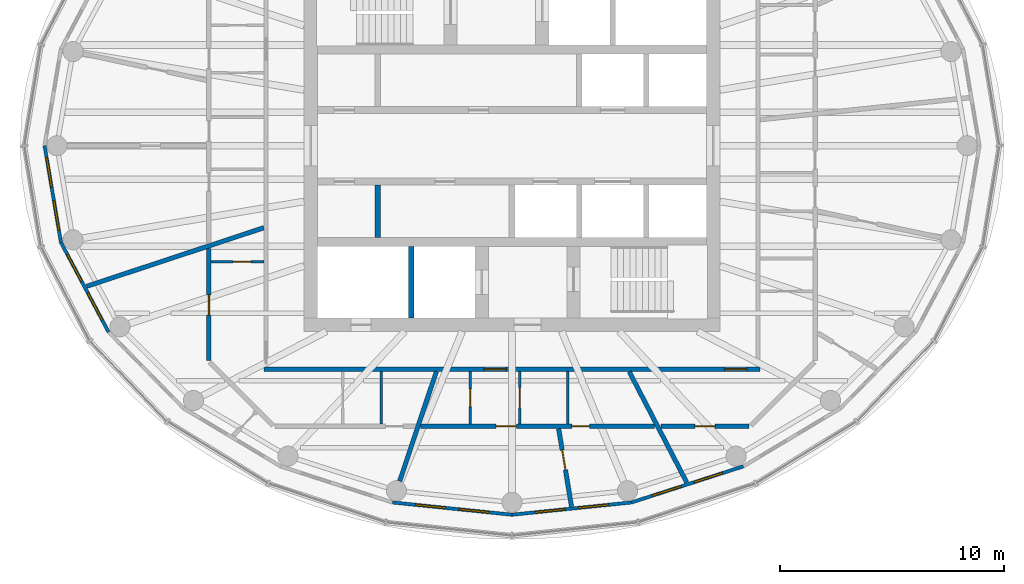
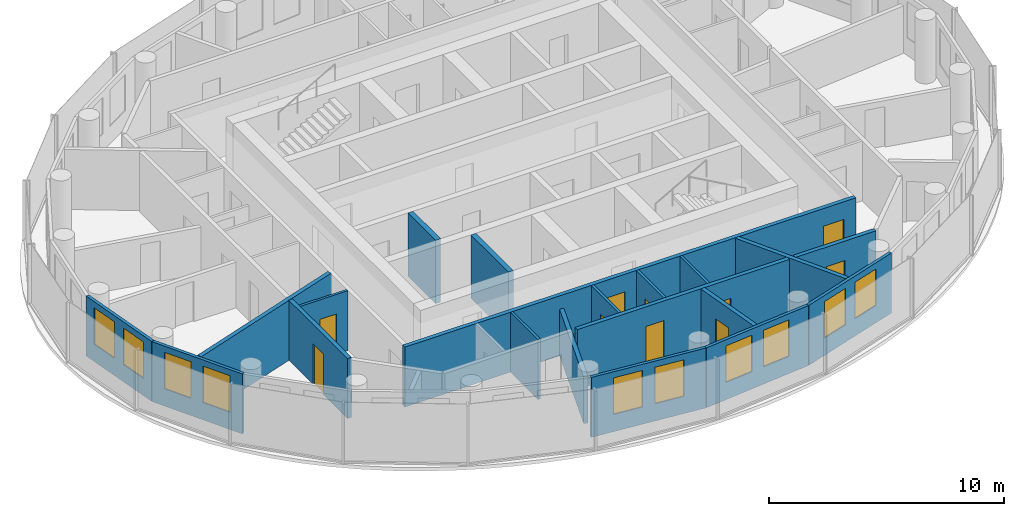
# One storey, part 5 of 11: 20 walls, 10 doors, 10 windows, 20 openings.
"""IFC4 building model written with IfcOpenShell, lengths in metres."""

from ifc_helpers import new_model, si_unit, direction, frame, frame_2d, origin, place, context, subcontext, project, spatial, rectangle, extrude, material, layer, layer_set, type_object, element, fill, save


model = new_model("IFC4")

# Units and contexts
model_context = context("Model", 3, precision=1e-05, world=origin(), true_north=direction((0.0, 1.0)))
body_context = subcontext(model_context, "Body", "Model", "MODEL_VIEW")
ifc_project = project(units=[si_unit("LENGTHUNIT", "METRE"), si_unit("AREAUNIT", "SQUARE_METRE"), si_unit("VOLUMEUNIT", "CUBIC_METRE"), si_unit("PLANEANGLEUNIT", "RADIAN"), si_unit("MASSUNIT", "GRAM", prefix="KILO")], contexts=[model_context])

# Site, building, storey
site_placement = place(None, origin())
site = spatial("IfcSite", under=ifc_project, at=site_placement, CompositionType="ELEMENT")
building_placement = place(site_placement, origin())
building = spatial("IfcBuilding", under=site, at=building_placement, Name="Hankou Lantern Tower", CompositionType="ELEMENT")
storey_placement = place(building_placement, frame((0.0, 0.0, 212.699951171875)))
storey = spatial("IfcBuildingStorey", under=building, at=storey_placement, Name="L57", CompositionType="ELEMENT", Elevation=212.699951171875)

# Wall, openings, windows
ifc_material_1 = material(Name="Aluminium spandrel panel on steel studs", Category="steel")
ifc_layer_1 = layer(ifc_material_1, 0.14990234375)
ifc_layer_set_1 = layer_set([ifc_layer_1], Name="Aluminium spandrel panel on steel studs")
wall_type_1 = type_object("IfcWallType", Name="EW1 INNER SKIN WALL 150", PredefinedType="ELEMENTEDWALL", material=ifc_layer_set_1)
wall_1_placement = place(storey_placement, frame((-20.89990234375, 0.0, 0.0), z_axis=(0.0, 0.0, 1.0), x_axis=(0.166538513568, -0.986034950445, 0.0)))
wall_1 = element("IfcWall", 1, at=wall_1_placement, inside=storey, type_object=wall_type_1, Name="Inner skin R13-R14 L57", PredefinedType="ELEMENTEDWALL", context=body_context, shape_type="SweptSolid", body=[
    extrude(rectangle(XDim=4.384765625, YDim=0.14990234375, at=frame_2d((2.1923828125, 0.0))), origin(), (0.0, 0.0, 1.0), 3.1201171875),
])
opening_1_placement = place(wall_1_placement, frame((0.54248046875, 0.0, 0.89990234375)))
opening_1 = element("IfcOpeningElement", 2, at=opening_1_placement, cuts=wall_1, Name="Opening W4", PredefinedType="OPENING", context=body_context, shape_type="SweptSolid", body=[
    extrude(rectangle(XDim=1.35009765625, YDim=1.89990234375, at=frame_2d((0.675048828125, 0.949951171875))), frame((0.0, 0.0849609375, 0.0), z_axis=(0.0, -1.0, 0.0), x_axis=(1.0, 0.0, 0.0)), (0.0, 0.0, 1.0), 0.169921875),
])
opening_2_placement = place(wall_1_placement, frame((2.492431640625, 0.0, 0.89990234375)))
opening_2 = element("IfcOpeningElement", 3, at=opening_2_placement, cuts=wall_1, Name="Opening W4", PredefinedType="OPENING", context=body_context, shape_type="SweptSolid", body=[
    extrude(rectangle(XDim=1.35009765625, YDim=1.89990234375, at=frame_2d((0.675048828125, 0.949951171875))), frame((0.0, 0.0849609375, 0.0), z_axis=(0.0, -1.0, 0.0), x_axis=(1.0, 0.0, 0.0)), (0.0, 0.0, 1.0), 0.169921875),
])
ifc_material_2 = material(Name="Aluminium framed double glazed window", Category="aluminium")
window_type = type_object("IfcWindowType", Name="W4 SUITE WINDOW 1350X1900", PartitioningType="DOUBLE_PANEL_VERTICAL", PredefinedType="WINDOW", material=ifc_material_2)
window_1_placement = place(opening_1_placement, origin())
window_1 = element("IfcWindow", 4, at=window_1_placement, inside=storey, type_object=window_type, Name="Window R13.1 L57", OverallHeight=1.89990234375, OverallWidth=1.35009765625, PartitioningType="SINGLE_PANEL", PredefinedType="WINDOW", context=body_context, shape_type="SweptSolid", body=[
    extrude(rectangle(XDim=1.35009765625, YDim=1.89990234375, at=frame_2d((0.675048828125, 0.949951171875))), frame((0.0, 0.030029296875, 0.0), z_axis=(0.0, -1.0, 0.0), x_axis=(1.0, 0.0, 0.0)), (0.0, 0.0, 1.0), 0.06005859375),
])
fill(opening_1, window_1)
window_2_placement = place(opening_2_placement, origin())
window_2 = element("IfcWindow", 5, at=window_2_placement, inside=storey, type_object=window_type, Name="Window R13.2 L57", OverallHeight=1.89990234375, OverallWidth=1.35009765625, PartitioningType="SINGLE_PANEL", PredefinedType="WINDOW", context=body_context, shape_type="SweptSolid", body=[
    extrude(rectangle(XDim=1.35009765625, YDim=1.89990234375, at=frame_2d((0.675048828125, 0.949951171875))), frame((0.0, 0.030029296875, 0.0), z_axis=(0.0, -1.0, 0.0), x_axis=(1.0, 0.0, 0.0)), (0.0, 0.0, 1.0), 0.06005859375),
])
fill(opening_2, window_2)

wall_2_placement = place(storey_placement, frame((-20.169677734375, -4.323486328125, 0.0), z_axis=(0.0, 0.0, 1.0), x_axis=(0.469256152955, -0.883062094597, 0.0)))
wall_2 = element("IfcWall", 6, at=wall_2_placement, inside=storey, type_object=wall_type_1, Name="Inner skin R14-R15 L57", PredefinedType="ELEMENTEDWALL", context=body_context, shape_type="SweptSolid", body=[
    extrude(rectangle(XDim=4.539306640625, YDim=0.14990234375, at=frame_2d((2.26953125, 0.0))), origin(), (0.0, 0.0, 1.0), 3.1201171875),
])
opening_3_placement = place(wall_2_placement, frame((0.61962890625, 0.0, 0.89990234375)))
opening_3 = element("IfcOpeningElement", 7, at=opening_3_placement, cuts=wall_2, Name="Opening W4", PredefinedType="OPENING", context=body_context, shape_type="SweptSolid", body=[
    extrude(rectangle(XDim=1.35009765625, YDim=1.89990234375, at=frame_2d((0.675048828125, 0.949951171875))), frame((0.0, 0.0849609375, 0.0), z_axis=(0.0, -1.0, 0.0), x_axis=(1.0, 0.0, 0.0)), (0.0, 0.0, 1.0), 0.169921875),
])
opening_4_placement = place(wall_2_placement, frame((2.569580078125, 0.0, 0.89990234375)))
opening_4 = element("IfcOpeningElement", 8, at=opening_4_placement, cuts=wall_2, Name="Opening W4", PredefinedType="OPENING", context=body_context, shape_type="SweptSolid", body=[
    extrude(rectangle(XDim=1.35009765625, YDim=1.89990234375, at=frame_2d((0.675048828125, 0.949951171875))), frame((0.0, 0.0849609375, 0.0), z_axis=(0.0, -1.0, 0.0), x_axis=(1.0, 0.0, 0.0)), (0.0, 0.0, 1.0), 0.169921875),
])
window_3_placement = place(opening_3_placement, origin())
window_3 = element("IfcWindow", 9, at=window_3_placement, inside=storey, type_object=window_type, Name="Window R14.1 L57", OverallHeight=1.89990234375, OverallWidth=1.35009765625, PartitioningType="SINGLE_PANEL", PredefinedType="WINDOW", context=body_context, shape_type="SweptSolid", body=[
    extrude(rectangle(XDim=1.35009765625, YDim=1.89990234375, at=frame_2d((0.675048828125, 0.949951171875))), frame((0.0, 0.030029296875, 0.0), z_axis=(0.0, -1.0, 0.0), x_axis=(1.0, 0.0, 0.0)), (0.0, 0.0, 1.0), 0.06005859375),
])
fill(opening_3, window_3)
window_4_placement = place(opening_4_placement, origin())
window_4 = element("IfcWindow", 10, at=window_4_placement, inside=storey, type_object=window_type, Name="Window R14.2 L57", OverallHeight=1.89990234375, OverallWidth=1.35009765625, PartitioningType="SINGLE_PANEL", PredefinedType="WINDOW", context=body_context, shape_type="SweptSolid", body=[
    extrude(rectangle(XDim=1.35009765625, YDim=1.89990234375, at=frame_2d((0.675048828125, 0.949951171875))), frame((0.0, 0.030029296875, 0.0), z_axis=(0.0, -1.0, 0.0), x_axis=(1.0, 0.0, 0.0)), (0.0, 0.0, 1.0), 0.06005859375),
])
fill(opening_4, window_4)

wall_3_placement = place(storey_placement, frame((-5.3427734375, -15.95166015625, 0.0), z_axis=(0.0, 0.0, 1.0), x_axis=(0.994774574972, -0.102095763818, 0.0)))
wall_3 = element("IfcWall", 11, at=wall_3_placement, inside=storey, type_object=wall_type_1, Name="Inner skin R18-R19 L57", PredefinedType="ELEMENTEDWALL", context=body_context, shape_type="SweptSolid", body=[
    extrude(rectangle(XDim=5.370849609375, YDim=0.14990234375, at=frame_2d((2.685546875, 0.0))), origin(), (0.0, 0.0, 1.0), 3.1201171875),
])
opening_5_placement = place(wall_3_placement, frame((1.035400390625, 0.0, 0.89990234375)))
opening_5 = element("IfcOpeningElement", 12, at=opening_5_placement, cuts=wall_3, Name="Opening W4", PredefinedType="OPENING", context=body_context, shape_type="SweptSolid", body=[
    extrude(rectangle(XDim=1.35009765625, YDim=1.89990234375, at=frame_2d((0.675048828125, 0.949951171875))), frame((0.0, 0.0849609375, 0.0), z_axis=(0.0, -1.0, 0.0), x_axis=(1.0, 0.0, 0.0)), (0.0, 0.0, 1.0), 0.169921875),
])
opening_6_placement = place(wall_3_placement, frame((2.9853515625, 0.0, 0.89990234375)))
opening_6 = element("IfcOpeningElement", 13, at=opening_6_placement, cuts=wall_3, Name="Opening W4", PredefinedType="OPENING", context=body_context, shape_type="SweptSolid", body=[
    extrude(rectangle(XDim=1.35009765625, YDim=1.89990234375, at=frame_2d((0.675048828125, 0.949951171875))), frame((0.0, 0.0849609375, 0.0), z_axis=(0.0, -1.0, 0.0), x_axis=(1.0, 0.0, 0.0)), (0.0, 0.0, 1.0), 0.169921875),
])
window_5_placement = place(opening_5_placement, origin())
window_5 = element("IfcWindow", 14, at=window_5_placement, inside=storey, type_object=window_type, Name="Window R18.1 L57", OverallHeight=1.89990234375, OverallWidth=1.35009765625, PartitioningType="SINGLE_PANEL", PredefinedType="WINDOW", context=body_context, shape_type="SweptSolid", body=[
    extrude(rectangle(XDim=1.35009765625, YDim=1.89990234375, at=frame_2d((0.675048828125, 0.949951171875))), frame((0.0, 0.030029296875, 0.0), z_axis=(0.0, -1.0, 0.0), x_axis=(1.0, 0.0, 0.0)), (0.0, 0.0, 1.0), 0.06005859375),
])
fill(opening_5, window_5)
window_6_placement = place(opening_6_placement, origin())
window_6 = element("IfcWindow", 15, at=window_6_placement, inside=storey, type_object=window_type, Name="Window R18.2 L57", OverallHeight=1.89990234375, OverallWidth=1.35009765625, PartitioningType="SINGLE_PANEL", PredefinedType="WINDOW", context=body_context, shape_type="SweptSolid", body=[
    extrude(rectangle(XDim=1.35009765625, YDim=1.89990234375, at=frame_2d((0.675048828125, 0.949951171875))), frame((0.0, 0.030029296875, 0.0), z_axis=(0.0, -1.0, 0.0), x_axis=(1.0, 0.0, 0.0)), (0.0, 0.0, 1.0), 0.06005859375),
])
fill(opening_6, window_6)

wall_4_placement = place(storey_placement, frame((0.0, -16.5, 0.0), z_axis=(0.0, 0.0, 1.0), x_axis=(0.994774574972, 0.102095763818, 0.0)))
wall_4 = element("IfcWall", 16, at=wall_4_placement, inside=storey, type_object=wall_type_1, Name="Inner skin R19-R20 L57", PredefinedType="ELEMENTEDWALL", context=body_context, shape_type="SweptSolid", body=[
    extrude(rectangle(XDim=5.370849609375, YDim=0.14990234375, at=frame_2d((2.685546875, 0.0))), origin(), (0.0, 0.0, 1.0), 3.1201171875),
])
opening_7_placement = place(wall_4_placement, frame((1.035400390625, 0.0, 0.89990234375)))
opening_7 = element("IfcOpeningElement", 17, at=opening_7_placement, cuts=wall_4, Name="Opening W4", PredefinedType="OPENING", context=body_context, shape_type="SweptSolid", body=[
    extrude(rectangle(XDim=1.35009765625, YDim=1.89990234375, at=frame_2d((0.675048828125, 0.949951171875))), frame((0.0, 0.0849609375, 0.0), z_axis=(0.0, -1.0, 0.0), x_axis=(1.0, 0.0, 0.0)), (0.0, 0.0, 1.0), 0.169921875),
])
opening_8_placement = place(wall_4_placement, frame((2.9853515625, 0.0, 0.89990234375)))
opening_8 = element("IfcOpeningElement", 18, at=opening_8_placement, cuts=wall_4, Name="Opening W4", PredefinedType="OPENING", context=body_context, shape_type="SweptSolid", body=[
    extrude(rectangle(XDim=1.35009765625, YDim=1.89990234375, at=frame_2d((0.675048828125, 0.949951171875))), frame((0.0, 0.0849609375, 0.0), z_axis=(0.0, -1.0, 0.0), x_axis=(1.0, 0.0, 0.0)), (0.0, 0.0, 1.0), 0.169921875),
])
window_7_placement = place(opening_7_placement, origin())
window_7 = element("IfcWindow", 19, at=window_7_placement, inside=storey, type_object=window_type, Name="Window R19.1 L57", OverallHeight=1.89990234375, OverallWidth=1.35009765625, PartitioningType="SINGLE_PANEL", PredefinedType="WINDOW", context=body_context, shape_type="SweptSolid", body=[
    extrude(rectangle(XDim=1.35009765625, YDim=1.89990234375, at=frame_2d((0.675048828125, 0.949951171875))), frame((0.0, 0.030029296875, 0.0), z_axis=(0.0, -1.0, 0.0), x_axis=(1.0, 0.0, 0.0)), (0.0, 0.0, 1.0), 0.06005859375),
])
fill(opening_7, window_7)
window_8_placement = place(opening_8_placement, origin())
window_8 = element("IfcWindow", 20, at=window_8_placement, inside=storey, type_object=window_type, Name="Window R19.2 L57", OverallHeight=1.89990234375, OverallWidth=1.35009765625, PartitioningType="SINGLE_PANEL", PredefinedType="WINDOW", context=body_context, shape_type="SweptSolid", body=[
    extrude(rectangle(XDim=1.35009765625, YDim=1.89990234375, at=frame_2d((0.675048828125, 0.949951171875))), frame((0.0, 0.030029296875, 0.0), z_axis=(0.0, -1.0, 0.0), x_axis=(1.0, 0.0, 0.0)), (0.0, 0.0, 1.0), 0.06005859375),
])
fill(opening_8, window_8)

wall_5_placement = place(storey_placement, frame((5.3427734375, -15.95166015625, 0.0), z_axis=(0.0, 0.0, 1.0), x_axis=(0.951644702515, 0.307200846638, 0.0)))
wall_5 = element("IfcWall", 21, at=wall_5_placement, inside=storey, type_object=wall_type_1, Name="Inner skin R20-R21 L57", PredefinedType="ELEMENTEDWALL", context=body_context, shape_type="SweptSolid", body=[
    extrude(rectangle(XDim=5.2578125, YDim=0.14990234375, at=frame_2d((2.62890625, 0.0))), origin(), (0.0, 0.0, 1.0), 3.1201171875),
])
opening_9_placement = place(wall_5_placement, frame((0.97900390625, 0.0, 0.89990234375)))
opening_9 = element("IfcOpeningElement", 22, at=opening_9_placement, cuts=wall_5, Name="Opening W4", PredefinedType="OPENING", context=body_context, shape_type="SweptSolid", body=[
    extrude(rectangle(XDim=1.35009765625, YDim=1.89990234375, at=frame_2d((0.675048828125, 0.949951171875))), frame((0.0, 0.0849609375, 0.0), z_axis=(0.0, -1.0, 0.0), x_axis=(1.0, 0.0, 0.0)), (0.0, 0.0, 1.0), 0.169921875),
])
opening_10_placement = place(wall_5_placement, frame((2.928955078125, 0.0, 0.89990234375)))
opening_10 = element("IfcOpeningElement", 23, at=opening_10_placement, cuts=wall_5, Name="Opening W4", PredefinedType="OPENING", context=body_context, shape_type="SweptSolid", body=[
    extrude(rectangle(XDim=1.35009765625, YDim=1.89990234375, at=frame_2d((0.675048828125, 0.949951171875))), frame((0.0, 0.0849609375, 0.0), z_axis=(0.0, -1.0, 0.0), x_axis=(1.0, 0.0, 0.0)), (0.0, 0.0, 1.0), 0.169921875),
])
window_9_placement = place(opening_9_placement, origin())
window_9 = element("IfcWindow", 24, at=window_9_placement, inside=storey, type_object=window_type, Name="Window R20.1 L57", OverallHeight=1.89990234375, OverallWidth=1.35009765625, PartitioningType="SINGLE_PANEL", PredefinedType="WINDOW", context=body_context, shape_type="SweptSolid", body=[
    extrude(rectangle(XDim=1.35009765625, YDim=1.89990234375, at=frame_2d((0.675048828125, 0.949951171875))), frame((0.0, 0.030029296875, 0.0), z_axis=(0.0, -1.0, 0.0), x_axis=(1.0, 0.0, 0.0)), (0.0, 0.0, 1.0), 0.06005859375),
])
fill(opening_9, window_9)
window_10_placement = place(opening_10_placement, origin())
window_10 = element("IfcWindow", 25, at=window_10_placement, inside=storey, type_object=window_type, Name="Window R20.2 L57", OverallHeight=1.89990234375, OverallWidth=1.35009765625, PartitioningType="SINGLE_PANEL", PredefinedType="WINDOW", context=body_context, shape_type="SweptSolid", body=[
    extrude(rectangle(XDim=1.35009765625, YDim=1.89990234375, at=frame_2d((0.675048828125, 0.949951171875))), frame((0.0, 0.030029296875, 0.0), z_axis=(0.0, -1.0, 0.0), x_axis=(1.0, 0.0, 0.0)), (0.0, 0.0, 1.0), 0.06005859375),
])
fill(opening_10, window_10)

# Walls
ifc_material_3 = material(Name="Masonry lightweight concrete block", Category="masonry")
ifc_layer_2 = layer(ifc_material_3, 0.199951171875)
ifc_layer_set_2 = layer_set([ifc_layer_2], Name="Masonry lightweight concrete block")
wall_type_2 = type_object("IfcWallType", Name="IW1 GUEST ROOM PARTY WALL 200", PredefinedType="PARTITIONING", material=ifc_layer_set_2)
wall_6_placement = place(storey_placement, frame((-11.10009765625, -3.668701171875, 0.0), z_axis=(0.0, 0.0, 1.0), x_axis=(-0.949476668397, -0.313837627079, 0.0)))
element("IfcWall", 26, at=wall_6_placement, inside=storey, type_object=wall_type_2, Name="Party wall R14-R15", PredefinedType="PARTITIONING", context=body_context, shape_type="SweptSolid", body=[
    extrude(rectangle(XDim=8.338623046875, YDim=0.199951171875, at=frame_2d((4.16943359375, 0.0))), origin(), (0.0, 0.0, 1.0), 3.1201171875),
])
wall_7_placement = place(storey_placement, frame((-3.3828125, -10.10009765625, 0.0), z_axis=(0.0, 0.0, 1.0), x_axis=(-0.317602151035, -0.948224063003, 0.0)))
element("IfcWall", 27, at=wall_7_placement, inside=storey, type_object=wall_type_2, Name="Party wall R18", PredefinedType="PARTITIONING", context=body_context, shape_type="SweptSolid", body=[
    extrude(rectangle(XDim=5.16796875, YDim=0.199951171875, at=frame_2d((2.583984375, 0.0))), origin(), (0.0, 0.0, 1.0), 2.420166015625),
])
wall_8_placement = place(storey_placement, frame((5.2412109375, -10.10009765625, 0.0), z_axis=(0.0, 0.0, 1.0), x_axis=(0.460603196597, -0.887606160008, 0.0)))
element("IfcWall", 28, at=wall_8_placement, inside=storey, type_object=wall_type_2, Name="Party wall R20-R21", PredefinedType="PARTITIONING", context=body_context, shape_type="SweptSolid", body=[
    extrude(rectangle(XDim=5.580322265625, YDim=0.199951171875, at=frame_2d((2.7900390625, 0.0))), origin(), (0.0, 0.0, 1.0), 3.1201171875),
])

# Wall, openings, doors
ifc_material_4 = material(Name="Masonry lightweight concrete block", Category="masonry")
ifc_layer_3 = layer(ifc_material_4, 0.199951171875)
ifc_layer_set_3 = layer_set([ifc_layer_3], Name="Masonry lightweight concrete block")
wall_type_3 = type_object("IfcWallType", Name="IW2 CORRIDOR WALL 200", PredefinedType="PARTITIONING", material=ifc_layer_set_3)
wall_9_placement = place(storey_placement, frame((11.10009765625, -10.0, 0.0), z_axis=(0.0, 0.0, 1.0), x_axis=(-1.0, 0.0, 0.0)))
wall_9 = element("IfcWall", 29, at=wall_9_placement, inside=storey, type_object=wall_type_3, Name="Corridor wall south", PredefinedType="PARTITIONING", context=body_context, shape_type="SweptSolid", body=[
    extrude(rectangle(XDim=22.2001953125, YDim=0.199951171875, at=frame_2d((11.10009765625, 0.0))), origin(), (0.0, 0.0, 1.0), 3.1201171875),
])
opening_11_placement = place(wall_9_placement, frame((11.359619140625, 0.0, 0.0)))
opening_11 = element("IfcOpeningElement", 30, at=opening_11_placement, cuts=wall_9, Name="Opening D2", PredefinedType="OPENING", context=body_context, shape_type="SweptSolid", body=[
    extrude(rectangle(XDim=1.0, YDim=2.199951171875, at=frame_2d((0.5, 1.10009765625))), frame((0.0, 0.10986328125, 0.0), z_axis=(0.0, -1.0, 0.0), x_axis=(1.0, 0.0, 0.0)), (0.0, 0.0, 1.0), 0.219970703125),
])
opening_12_placement = place(wall_9_placement, frame((0.594970703125, 0.0, 0.0)))
opening_12 = element("IfcOpeningElement", 31, at=opening_12_placement, cuts=wall_9, Name="Opening D2", PredefinedType="OPENING", context=body_context, shape_type="SweptSolid", body=[
    extrude(rectangle(XDim=1.0, YDim=2.199951171875, at=frame_2d((0.5, 1.10009765625))), frame((0.0, 0.10986328125, 0.0), z_axis=(0.0, -1.0, 0.0), x_axis=(1.0, 0.0, 0.0)), (0.0, 0.0, 1.0), 0.219970703125),
])
ifc_material_5 = material(Name="Steel door leaf", Category="steel")
door_type_1 = type_object("IfcDoorType", Name="D2 SUITE DOOR 1000X2200", OperationType="SINGLE_SWING_LEFT", PredefinedType="DOOR", material=ifc_material_5)
door_1_placement = place(opening_11_placement, origin())
door_1 = element("IfcDoor", 32, at=door_1_placement, inside=storey, type_object=door_type_1, Name="Suite door 5705", OperationType="SINGLE_SWING_RIGHT", OverallHeight=2.199951171875, OverallWidth=1.0, PredefinedType="DOOR", context=body_context, shape_type="SweptSolid", body=[
    extrude(rectangle(XDim=1.0, YDim=2.199951171875, at=frame_2d((0.5, 1.10009765625))), frame((0.0, 0.02490234375, 0.0), z_axis=(0.0, -1.0, 0.0), x_axis=(1.0, 0.0, 0.0)), (0.0, 0.0, 1.0), 0.050048828125),
])
fill(opening_11, door_1)
door_2_placement = place(opening_12_placement, origin())
door_2 = element("IfcDoor", 33, at=door_2_placement, inside=storey, type_object=door_type_1, Name="Suite door 5706", OperationType="SINGLE_SWING_RIGHT", OverallHeight=2.199951171875, OverallWidth=1.0, PredefinedType="DOOR", context=body_context, shape_type="SweptSolid", body=[
    extrude(rectangle(XDim=1.0, YDim=2.199951171875, at=frame_2d((0.5, 1.10009765625))), frame((0.0, 0.02490234375, 0.0), z_axis=(0.0, -1.0, 0.0), x_axis=(1.0, 0.0, 0.0)), (0.0, 0.0, 1.0), 0.050048828125),
])
fill(opening_12, door_2)

# Wall, opening, door
ifc_material_6 = material(Name="Masonry lightweight concrete block", Category="masonry")
ifc_layer_4 = layer(ifc_material_6, 0.1201171875)
ifc_layer_set_4 = layer_set([ifc_layer_4], Name="Masonry lightweight concrete block")
wall_type_4 = type_object("IfcWallType", Name="IW3 BATHROOM WALL 120", PredefinedType="PARTITIONING", material=ifc_layer_set_4)
wall_10_placement = place(storey_placement, frame((-11.10009765625, -5.185302734375, 0.0), z_axis=(0.0, 0.0, 1.0), x_axis=(-1.0, 0.0, 0.0)))
wall_10 = element("IfcWall", 34, at=wall_10_placement, inside=storey, type_object=wall_type_4, Name="Box wall 5704 1", PredefinedType="PARTITIONING", context=body_context, shape_type="SweptSolid", body=[
    extrude(rectangle(XDim=2.349853515625, YDim=0.1201171875, at=frame_2d((1.1748046875, 0.0))), origin(), (0.0, 0.0, 1.0), 3.1201171875),
])
opening_13_placement = place(wall_10_placement, frame((0.570068359375, 0.0, 0.0)))
opening_13 = element("IfcOpeningElement", 35, at=opening_13_placement, cuts=wall_10, Name="Opening D3", PredefinedType="OPENING", context=body_context, shape_type="SweptSolid", body=[
    extrude(rectangle(XDim=0.800048828125, YDim=2.10009765625, at=frame_2d((0.39990234375, 1.050048828125))), frame((0.0, 0.070068359375, 0.0), z_axis=(0.0, -1.0, 0.0), x_axis=(1.0, 0.0, 0.0)), (0.0, 0.0, 1.0), 0.14013671875),
])
ifc_material_7 = material(Name="Timber door leaf", Category="wood")
door_type_2 = type_object("IfcDoorType", Name="D3 BATHROOM DOOR 800X2100", OperationType="SINGLE_SWING_LEFT", PredefinedType="DOOR", material=ifc_material_7)
door_3_placement = place(opening_13_placement, origin())
door_3 = element("IfcDoor", 36, at=door_3_placement, inside=storey, type_object=door_type_2, Name="Suite 5704 guest WC door", OperationType="SINGLE_SWING_LEFT", OverallHeight=2.10009765625, OverallWidth=0.800048828125, PredefinedType="DOOR", context=body_context, shape_type="SweptSolid", body=[
    extrude(rectangle(XDim=0.800048828125, YDim=2.10009765625, at=frame_2d((0.39990234375, 1.050048828125))), frame((0.0, 0.02490234375, 0.0), z_axis=(0.0, -1.0, 0.0), x_axis=(1.0, 0.0, 0.0)), (0.0, 0.0, 1.0), 0.050048828125),
])
fill(opening_13, door_3)

# Wall
wall_11_placement = place(storey_placement, frame((-5.849365234375, -10.10009765625, 0.0), z_axis=(0.0, 0.0, 1.0), x_axis=(0.0, -1.0, 0.0)))
element("IfcWall", 37, at=wall_11_placement, inside=storey, type_object=wall_type_4, Name="Box wall 5704 3", PredefinedType="PARTITIONING", context=body_context, shape_type="SweptSolid", body=[
    extrude(rectangle(XDim=2.349853515625, YDim=0.1201171875, at=frame_2d((1.1748046875, 0.0))), origin(), (0.0, 0.0, 1.0), 3.1201171875),
])

# Wall, opening, door
wall_12_placement = place(storey_placement, frame((-1.86962890625, -10.10009765625, 0.0), z_axis=(0.0, 0.0, 1.0), x_axis=(0.0, -1.0, 0.0)))
wall_12 = element("IfcWall", 38, at=wall_12_placement, inside=storey, type_object=wall_type_4, Name="Box wall 5705 1", PredefinedType="PARTITIONING", context=body_context, shape_type="SweptSolid", body=[
    extrude(rectangle(XDim=2.349853515625, YDim=0.1201171875, at=frame_2d((1.1748046875, 0.0))), origin(), (0.0, 0.0, 1.0), 3.1201171875),
])
opening_14_placement = place(wall_12_placement, frame((0.77001953125, 0.0, 0.0)))
opening_14 = element("IfcOpeningElement", 39, at=opening_14_placement, cuts=wall_12, Name="Opening D3", PredefinedType="OPENING", context=body_context, shape_type="SweptSolid", body=[
    extrude(rectangle(XDim=0.800048828125, YDim=2.10009765625, at=frame_2d((0.39990234375, 1.050048828125))), frame((0.0, 0.070068359375, 0.0), z_axis=(0.0, -1.0, 0.0), x_axis=(1.0, 0.0, 0.0)), (0.0, 0.0, 1.0), 0.14013671875),
])
door_4_placement = place(opening_14_placement, origin())
door_4 = element("IfcDoor", 40, at=door_4_placement, inside=storey, type_object=door_type_2, Name="Suite 5705 guest WC door", OperationType="SINGLE_SWING_LEFT", OverallHeight=2.10009765625, OverallWidth=0.800048828125, PredefinedType="DOOR", context=body_context, shape_type="SweptSolid", body=[
    extrude(rectangle(XDim=0.800048828125, YDim=2.10009765625, at=frame_2d((0.39990234375, 1.050048828125))), frame((0.0, 0.02490234375, 0.0), z_axis=(0.0, -1.0, 0.0), x_axis=(1.0, 0.0, 0.0)), (0.0, 0.0, 1.0), 0.050048828125),
])
fill(opening_14, door_4)

wall_13_placement = place(storey_placement, frame((0.350341796875, -10.10009765625, 0.0), z_axis=(0.0, 0.0, 1.0), x_axis=(0.0, -1.0, 0.0)))
wall_13 = element("IfcWall", 41, at=wall_13_placement, inside=storey, type_object=wall_type_4, Name="Box wall 5705 2", PredefinedType="PARTITIONING", context=body_context, shape_type="SweptSolid", body=[
    extrude(rectangle(XDim=2.349853515625, YDim=0.1201171875, at=frame_2d((1.1748046875, 0.0))), origin(), (0.0, 0.0, 1.0), 3.1201171875),
])
opening_15_placement = place(wall_13_placement, frame((0.719970703125, 0.0, 0.0)))
opening_15 = element("IfcOpeningElement", 42, at=opening_15_placement, cuts=wall_13, Name="Opening D27", PredefinedType="OPENING", context=body_context, shape_type="SweptSolid", body=[
    extrude(rectangle(XDim=0.89990234375, YDim=2.10009765625, at=frame_2d((0.449951171875, 1.050048828125))), frame((0.0, 0.070068359375, 0.0), z_axis=(0.0, -1.0, 0.0), x_axis=(1.0, 0.0, 0.0)), (0.0, 0.0, 1.0), 0.14013671875),
])
ifc_material_8 = material(Name="Timber door leaf", Category="wood")
door_type_3 = type_object("IfcDoorType", Name="D27 INTERNAL DOOR 900X2100", OperationType="SINGLE_SWING_LEFT", PredefinedType="DOOR", material=ifc_material_8)
door_5_placement = place(opening_15_placement, origin())
door_5 = element("IfcDoor", 43, at=door_5_placement, inside=storey, type_object=door_type_3, Name="Suite 5705 walk-in wardrobe door", OperationType="SINGLE_SWING_LEFT", OverallHeight=2.10009765625, OverallWidth=0.89990234375, PredefinedType="DOOR", context=body_context, shape_type="SweptSolid", body=[
    extrude(rectangle(XDim=0.89990234375, YDim=2.10009765625, at=frame_2d((0.449951171875, 1.050048828125))), frame((0.0, 0.02490234375, 0.0), z_axis=(0.0, -1.0, 0.0), x_axis=(1.0, 0.0, 0.0)), (0.0, 0.0, 1.0), 0.050048828125),
])
fill(opening_15, door_5)

# Wall
wall_14_placement = place(storey_placement, frame((2.489501953125, -10.10009765625, 0.0), z_axis=(0.0, 0.0, 1.0), x_axis=(0.0, -1.0, 0.0)))
element("IfcWall", 44, at=wall_14_placement, inside=storey, type_object=wall_type_4, Name="Box wall 5705 3", PredefinedType="PARTITIONING", context=body_context, shape_type="SweptSolid", body=[
    extrude(rectangle(XDim=2.349853515625, YDim=0.1201171875, at=frame_2d((1.1748046875, 0.0))), origin(), (0.0, 0.0, 1.0), 3.1201171875),
])

# Wall, opening, door
ifc_material_9 = material(Name="Masonry lightweight concrete block", Category="masonry")
ifc_layer_5 = layer(ifc_material_9, 0.199951171875)
ifc_layer_set_5 = layer_set([ifc_layer_5], Name="Masonry lightweight concrete block")
wall_type_5 = type_object("IfcWallType", Name="IW6 SUITE PARTITION 200", PredefinedType="PARTITIONING", material=ifc_layer_set_5)
wall_15_placement = place(storey_placement, frame((-13.550048828125, -4.599853515625, 0.0), z_axis=(0.0, 0.0, 1.0), x_axis=(0.0, -1.0, 0.0)))
wall_15 = element("IfcWall", 45, at=wall_15_placement, inside=storey, type_object=wall_type_5, Name="Suite foyer wall 5704", PredefinedType="PARTITIONING", context=body_context, shape_type="SweptSolid", body=[
    extrude(rectangle(XDim=5.0087890625, YDim=0.199951171875, at=frame_2d((2.50439453125, 0.0))), origin(), (0.0, 0.0, 1.0), 3.1201171875),
])
opening_16_placement = place(wall_15_placement, frame((2.070068359375, 0.0, 0.0)))
opening_16 = element("IfcOpeningElement", 46, at=opening_16_placement, cuts=wall_15, Name="Opening D27", PredefinedType="OPENING", context=body_context, shape_type="SweptSolid", body=[
    extrude(rectangle(XDim=0.89990234375, YDim=2.10009765625, at=frame_2d((0.449951171875, 1.050048828125))), frame((0.0, 0.10986328125, 0.0), z_axis=(0.0, -1.0, 0.0), x_axis=(1.0, 0.0, 0.0)), (0.0, 0.0, 1.0), 0.219970703125),
])
door_6_placement = place(opening_16_placement, origin())
door_6 = element("IfcDoor", 47, at=door_6_placement, inside=storey, type_object=door_type_3, Name="Suite 5704 living room door", OperationType="SINGLE_SWING_LEFT", OverallHeight=2.10009765625, OverallWidth=0.89990234375, PredefinedType="DOOR", context=body_context, shape_type="SweptSolid", body=[
    extrude(rectangle(XDim=0.89990234375, YDim=2.10009765625, at=frame_2d((0.449951171875, 1.050048828125))), frame((0.0, 0.02490234375, 0.0), z_axis=(0.0, -1.0, 0.0), x_axis=(1.0, 0.0, 0.0)), (0.0, 0.0, 1.0), 0.050048828125),
])
fill(opening_16, door_6)

# Wall, openings, doors
wall_16_placement = place(storey_placement, frame((-4.08203125, -12.550048828125, 0.0), z_axis=(0.0, 0.0, 1.0), x_axis=(1.0, 0.0, 0.0)))
wall_16 = element("IfcWall", 48, at=wall_16_placement, inside=storey, type_object=wall_type_5, Name="Suite foyer wall 5705", PredefinedType="PARTITIONING", context=body_context, shape_type="SweptSolid", body=[
    extrude(rectangle(XDim=10.44580078125, YDim=0.199951171875, at=frame_2d((5.222900390625, 0.0))), origin(), (0.0, 0.0, 1.0), 3.1201171875),
])
opening_17_placement = place(wall_16_placement, frame((6.756591796875, 0.0, 0.0)))
opening_17 = element("IfcOpeningElement", 49, at=opening_17_placement, cuts=wall_16, Name="Opening D3", PredefinedType="OPENING", context=body_context, shape_type="SweptSolid", body=[
    extrude(rectangle(XDim=0.800048828125, YDim=2.10009765625, at=frame_2d((0.39990234375, 1.050048828125))), frame((0.0, 0.10986328125, 0.0), z_axis=(0.0, -1.0, 0.0), x_axis=(1.0, 0.0, 0.0)), (0.0, 0.0, 1.0), 0.219970703125),
])
opening_18_placement = place(wall_16_placement, frame((3.372314453125, 0.0, 0.0)))
opening_18 = element("IfcOpeningElement", 50, at=opening_18_placement, cuts=wall_16, Name="Opening D27", PredefinedType="OPENING", context=body_context, shape_type="SweptSolid", body=[
    extrude(rectangle(XDim=0.89990234375, YDim=2.10009765625, at=frame_2d((0.449951171875, 1.050048828125))), frame((0.0, 0.10986328125, 0.0), z_axis=(0.0, -1.0, 0.0), x_axis=(1.0, 0.0, 0.0)), (0.0, 0.0, 1.0), 0.219970703125),
])
door_7_placement = place(opening_18_placement, origin())
door_7 = element("IfcDoor", 51, at=door_7_placement, inside=storey, type_object=door_type_3, Name="Suite 5705 living room door", OperationType="SINGLE_SWING_RIGHT", OverallHeight=2.10009765625, OverallWidth=0.89990234375, PredefinedType="DOOR", context=body_context, shape_type="SweptSolid", body=[
    extrude(rectangle(XDim=0.89990234375, YDim=2.10009765625, at=frame_2d((0.449951171875, 1.050048828125))), frame((0.0, 0.02490234375, 0.0), z_axis=(0.0, -1.0, 0.0), x_axis=(1.0, 0.0, 0.0)), (0.0, 0.0, 1.0), 0.050048828125),
])
fill(opening_18, door_7)
door_8_placement = place(opening_17_placement, origin())
door_8 = element("IfcDoor", 52, at=door_8_placement, inside=storey, type_object=door_type_2, Name="Suite 5705 bathroom door", OperationType="SINGLE_SWING_LEFT", OverallHeight=2.10009765625, OverallWidth=0.800048828125, PredefinedType="DOOR", context=body_context, shape_type="SweptSolid", body=[
    extrude(rectangle(XDim=0.800048828125, YDim=2.10009765625, at=frame_2d((0.39990234375, 1.050048828125))), frame((0.0, 0.02490234375, 0.0), z_axis=(0.0, -1.0, 0.0), x_axis=(1.0, 0.0, 0.0)), (0.0, 0.0, 1.0), 0.050048828125),
])
fill(opening_17, door_8)

# Wall, opening, door
wall_17_placement = place(storey_placement, frame((2.08642578125, -12.64990234375, 0.0), z_axis=(0.0, 0.0, 1.0), x_axis=(0.162664077359, -0.986681507852, 0.0)))
wall_17 = element("IfcWall", 53, at=wall_17_placement, inside=storey, type_object=wall_type_5, Name="Suite partition R19-R20", PredefinedType="PARTITIONING", context=body_context, shape_type="SweptSolid", body=[
    extrude(rectangle(XDim=3.53759765625, YDim=0.199951171875, at=frame_2d((1.768798828125, 0.0))), origin(), (0.0, 0.0, 1.0), 3.1201171875),
])
opening_19_placement = place(wall_17_placement, frame((0.969970703125, 0.0, 0.0)))
opening_19 = element("IfcOpeningElement", 54, at=opening_19_placement, cuts=wall_17, Name="Opening D27", PredefinedType="OPENING", context=body_context, shape_type="SweptSolid", body=[
    extrude(rectangle(XDim=0.89990234375, YDim=2.10009765625, at=frame_2d((0.449951171875, 1.050048828125))), frame((0.0, 0.10986328125, 0.0), z_axis=(0.0, -1.0, 0.0), x_axis=(1.0, 0.0, 0.0)), (0.0, 0.0, 1.0), 0.219970703125),
])
door_9_placement = place(opening_19_placement, origin())
door_9 = element("IfcDoor", 55, at=door_9_placement, inside=storey, type_object=door_type_3, Name="Suite 5705 bedroom door", OperationType="SINGLE_SWING_LEFT", OverallHeight=2.10009765625, OverallWidth=0.89990234375, PredefinedType="DOOR", context=body_context, shape_type="SweptSolid", body=[
    extrude(rectangle(XDim=0.89990234375, YDim=2.10009765625, at=frame_2d((0.449951171875, 1.050048828125))), frame((0.0, 0.02490234375, 0.0), z_axis=(0.0, -1.0, 0.0), x_axis=(1.0, 0.0, 0.0)), (0.0, 0.0, 1.0), 0.050048828125),
])
fill(opening_19, door_9)

wall_18_placement = place(storey_placement, frame((6.661376953125, -12.550048828125, 0.0), z_axis=(0.0, 0.0, 1.0), x_axis=(1.0, 0.0, 0.0)))
wall_18 = element("IfcWall", 56, at=wall_18_placement, inside=storey, type_object=wall_type_5, Name="Suite foyer wall 5706", PredefinedType="PARTITIONING", context=body_context, shape_type="SweptSolid", body=[
    extrude(rectangle(XDim=3.947265625, YDim=0.199951171875, at=frame_2d((1.9736328125, 0.0))), origin(), (0.0, 0.0, 1.0), 3.1201171875),
])
opening_20_placement = place(wall_18_placement, frame((1.52001953125, 0.0, 0.0)))
opening_20 = element("IfcOpeningElement", 57, at=opening_20_placement, cuts=wall_18, Name="Opening D27", PredefinedType="OPENING", context=body_context, shape_type="SweptSolid", body=[
    extrude(rectangle(XDim=0.89990234375, YDim=2.10009765625, at=frame_2d((0.449951171875, 1.050048828125))), frame((0.0, 0.10986328125, 0.0), z_axis=(0.0, -1.0, 0.0), x_axis=(1.0, 0.0, 0.0)), (0.0, 0.0, 1.0), 0.219970703125),
])
door_10_placement = place(opening_20_placement, origin())
door_10 = element("IfcDoor", 58, at=door_10_placement, inside=storey, type_object=door_type_3, Name="Corner suite 5706 living room door", OperationType="SINGLE_SWING_LEFT", OverallHeight=2.10009765625, OverallWidth=0.89990234375, PredefinedType="DOOR", context=body_context, shape_type="SweptSolid", body=[
    extrude(rectangle(XDim=0.89990234375, YDim=2.10009765625, at=frame_2d((0.449951171875, 1.050048828125))), frame((0.0, 0.02490234375, 0.0), z_axis=(0.0, -1.0, 0.0), x_axis=(1.0, 0.0, 0.0)), (0.0, 0.0, 1.0), 0.050048828125),
])
fill(opening_20, door_10)

# Walls
ifc_material_10 = material(Name="Masonry autoclaved aerated concrete block", Category="masonry")
ifc_layer_6 = layer(ifc_material_10, 0.25)
ifc_layer_set_6 = layer_set([ifc_layer_6], Name="Masonry autoclaved aerated concrete block")
wall_type_6 = type_object("IfcWallType", Name="SW1 SHAFT BLOCK WALL 250", PredefinedType="PARTITIONING", material=ifc_layer_set_6)
wall_19_placement = place(storey_placement, frame((-4.5, -7.699951171875, 0.0), z_axis=(0.0, 0.0, 1.0), x_axis=(0.0, 1.0, 0.0)))
element("IfcWall", 59, at=wall_19_placement, inside=storey, type_object=wall_type_6, Name="Riser wall L57", PredefinedType="PARTITIONING", context=body_context, shape_type="SweptSolid", body=[
    extrude(rectangle(XDim=3.199951171875, YDim=0.25, at=frame_2d((1.60009765625, 0.0))), origin(), (0.0, 0.0, 1.0), 3.300048828125),
])
wall_20_placement = place(storey_placement, frame((-6.0, -4.10009765625, 0.0), z_axis=(0.0, 0.0, 1.0), x_axis=(0.0, 1.0, 0.0)))
element("IfcWall", 60, at=wall_20_placement, inside=storey, type_object=wall_type_6, Name="Lift shaft wall L57", PredefinedType="PARTITIONING", context=body_context, shape_type="SweptSolid", body=[
    extrude(rectangle(XDim=2.35009765625, YDim=0.25, at=frame_2d((1.175048828125, 0.0))), origin(), (0.0, 0.0, 1.0), 3.300048828125),
])

save(model, "model.ifc")
